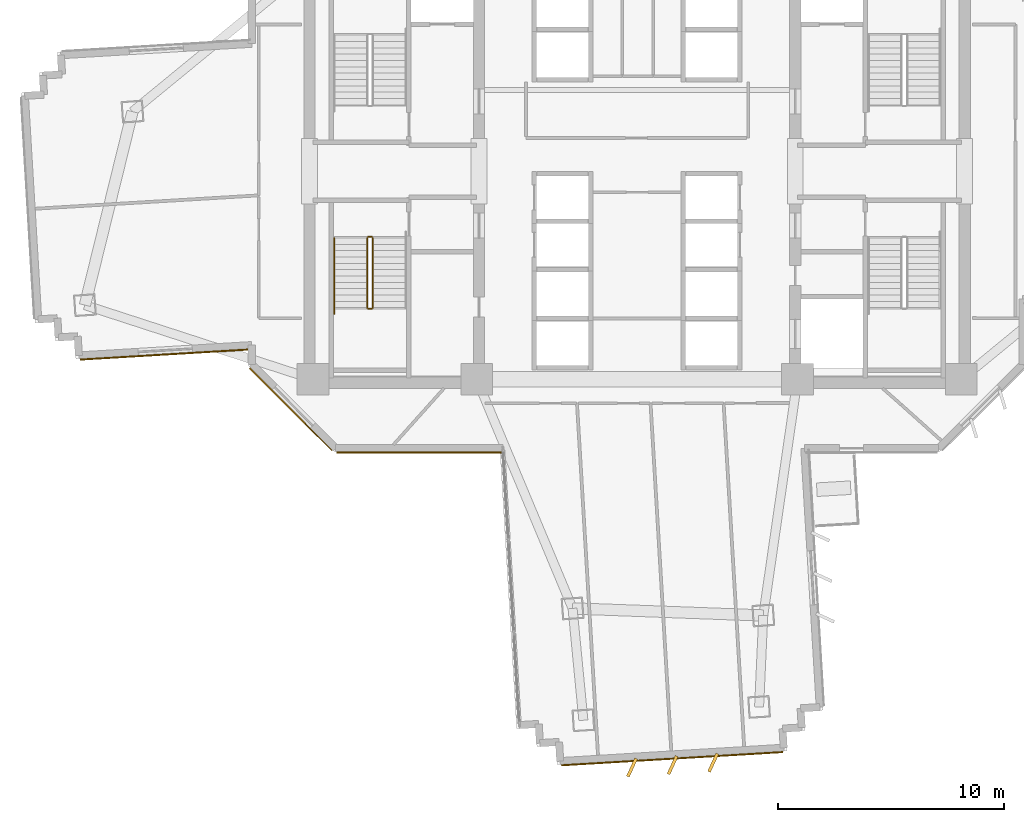
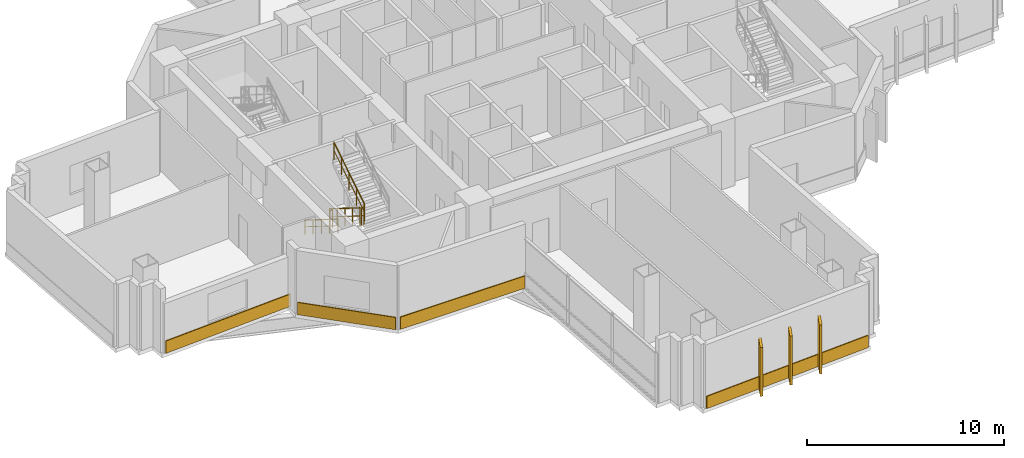
# One storey, part 11 of 15: 7 coverings, 5 railings.
"""IFC4 building model written with IfcOpenShell, lengths in metres."""

from ifc_helpers import new_model, si_unit, direction, frame, origin, origin_2d, place, context, subcontext, project, spatial, rectangle, extrude, source, transform, mapped, material, layer, layer_set, type_object, element, save


model = new_model("IFC4")

# Units and contexts
model_context = context("Model", 3, precision=1e-05, world=origin(), true_north=direction((0.0, 1.0)))
body_context = subcontext(model_context, "Body", "Model", "MODEL_VIEW")
ifc_project = project(units=[si_unit("LENGTHUNIT", "METRE"), si_unit("AREAUNIT", "SQUARE_METRE"), si_unit("VOLUMEUNIT", "CUBIC_METRE"), si_unit("PLANEANGLEUNIT", "RADIAN"), si_unit("MASSUNIT", "GRAM", prefix="KILO")], contexts=[model_context])

# Site, building, storey
site_placement = place(None, origin())
site = spatial("IfcSite", under=ifc_project, at=site_placement, CompositionType="ELEMENT")
building_placement = place(site_placement, origin())
building = spatial("IfcBuilding", under=site, at=building_placement, Name="Zahravan Cultural Tower", CompositionType="ELEMENT")
storey_placement = place(building_placement, frame((0.0, 0.0, 71.10009765625)))
storey = spatial("IfcBuildingStorey", under=building, at=storey_placement, Name="L15", CompositionType="ELEMENT", Elevation=71.10009765625)

# Railings
ifc_material_1 = material(Name="Steel ASTM A572 Grade 50", Category="steel")
railing_type_1 = type_object("IfcRailingType", Name="RL-STAIR-GRD1150", PredefinedType="BALUSTRADE", material=ifc_material_1)
railing_1_placement = place(storey_placement, frame((24.050048828125, 24.050048828125, 0.1748046875)))
element("IfcRailing", 1, at=railing_1_placement, inside=storey, type_object=railing_type_1, Name="L15 ST-W2 stair guard 1", PredefinedType="BALUSTRADE", context=body_context, shape_type="SweptSolid", body=[
    extrude(rectangle(XDim=0.05, YDim=0.05, at=origin_2d()), frame((0.0, 0.0, 1.0751953125), z_axis=(0.0, -0.847998304005, 0.529998940003), x_axis=(1.0, 0.0, 0.0)), (0.0, 0.0, 1.0), 3.632080078125),
    extrude(rectangle(XDim=0.032, YDim=0.032, at=origin_2d()), frame((0.0, 0.0, 0.572021484375), z_axis=(0.0, -0.847998304005, 0.529998940003), x_axis=(1.0, 0.0, 0.0)), (0.0, 0.0, 1.0), 3.632080078125),
    extrude(rectangle(XDim=0.04, YDim=0.04, at=origin_2d()), origin(), (0.0, 0.0, 1.0), 1.10009765625),
    extrude(rectangle(XDim=0.04, YDim=0.04, at=origin_2d()), frame((0.0, -0.77001953125, 0.481201171875)), (0.0, 0.0, 1.0), 1.10009765625),
    extrude(rectangle(XDim=0.04, YDim=0.04, at=origin_2d()), frame((0.0, -1.5400390625, 0.96240234375)), (0.0, 0.0, 1.0), 1.10009765625),
    extrude(rectangle(XDim=0.04, YDim=0.04, at=origin_2d()), frame((0.0, -2.31005859375, 1.44384765625)), (0.0, 0.0, 1.0), 1.10009765625),
    extrude(rectangle(XDim=0.04, YDim=0.04, at=origin_2d()), frame((0.0, -3.080078125, 1.925048828125)), (0.0, 0.0, 1.0), 1.10009765625),
])
railing_2_placement = place(storey_placement, frame((24.10009765625, 20.919921875, 2.099853515625)))
element("IfcRailing", 2, at=railing_2_placement, inside=storey, type_object=railing_type_1, Name="L15 ST-W2 stair guard 2", PredefinedType="BALUSTRADE", context=body_context, shape_type="SweptSolid", body=[
    extrude(rectangle(XDim=0.05, YDim=0.05, at=origin_2d()), frame((0.0, 0.0, 1.0751953125), z_axis=(1.0, 0.0, 0.0), x_axis=(0.0, 1.0, 0.0)), (0.0, 0.0, 1.0), 0.14990234375),
    extrude(rectangle(XDim=0.032, YDim=0.032, at=origin_2d()), frame((0.0, 0.0, 0.572021484375), z_axis=(1.0, 0.0, 0.0), x_axis=(0.0, 1.0, 0.0)), (0.0, 0.0, 1.0), 0.14990234375),
    extrude(rectangle(XDim=0.04, YDim=0.04, at=origin_2d()), origin(), (0.0, 0.0, 1.0), 1.10009765625),
    extrude(rectangle(XDim=0.04, YDim=0.04, at=origin_2d()), frame((0.14990234375, 0.0, 0.0)), (0.0, 0.0, 1.0), 1.10009765625),
])
railing_3_placement = place(storey_placement, frame((24.300048828125, 20.969970703125, 2.27490234375)))
element("IfcRailing", 3, at=railing_3_placement, inside=storey, type_object=railing_type_1, Name="L15 ST-W2 stair guard 3", PredefinedType="BALUSTRADE", context=body_context, shape_type="SweptSolid", body=[
    extrude(rectangle(XDim=0.05, YDim=0.05, at=origin_2d()), frame((0.0, 0.0, 1.0751953125), z_axis=(0.0, 0.847998304005, 0.529998940003), x_axis=(-1.0, 0.0, 0.0)), (0.0, 0.0, 1.0), 3.632080078125),
    extrude(rectangle(XDim=0.032, YDim=0.032, at=origin_2d()), frame((0.0, 0.0, 0.572021484375), z_axis=(0.0, 0.847998304005, 0.529998940003), x_axis=(-1.0, 0.0, 0.0)), (0.0, 0.0, 1.0), 3.632080078125),
    extrude(rectangle(XDim=0.04, YDim=0.04, at=origin_2d()), origin(), (0.0, 0.0, 1.0), 1.10009765625),
    extrude(rectangle(XDim=0.04, YDim=0.04, at=origin_2d()), frame((0.0, 0.77001953125, 0.481201171875)), (0.0, 0.0, 1.0), 1.10009765625),
    extrude(rectangle(XDim=0.04, YDim=0.04, at=origin_2d()), frame((0.0, 1.5400390625, 0.96240234375)), (0.0, 0.0, 1.0), 1.10009765625),
    extrude(rectangle(XDim=0.04, YDim=0.04, at=origin_2d()), frame((0.0, 2.31005859375, 1.44384765625)), (0.0, 0.0, 1.0), 1.10009765625),
    extrude(rectangle(XDim=0.04, YDim=0.04, at=origin_2d()), frame((0.0, 3.080078125, 1.925048828125)), (0.0, 0.0, 1.0), 1.10009765625),
])
railing_4_placement = place(storey_placement, frame((24.10009765625, 24.10009765625, 0.0)))
element("IfcRailing", 4, at=railing_4_placement, inside=storey, type_object=railing_type_1, Name="L15 ST-W2 stair guard 4", PredefinedType="BALUSTRADE", context=body_context, shape_type="SweptSolid", body=[
    extrude(rectangle(XDim=0.05, YDim=0.05, at=origin_2d()), frame((0.0, 0.0, 1.0751953125), z_axis=(1.0, 0.0, 0.0), x_axis=(0.0, 1.0, 0.0)), (0.0, 0.0, 1.0), 0.14990234375),
    extrude(rectangle(XDim=0.032, YDim=0.032, at=origin_2d()), frame((0.0, 0.0, 0.572021484375), z_axis=(1.0, 0.0, 0.0), x_axis=(0.0, 1.0, 0.0)), (0.0, 0.0, 1.0), 0.14990234375),
    extrude(rectangle(XDim=0.04, YDim=0.04, at=origin_2d()), origin(), (0.0, 0.0, 1.0), 1.10009765625),
    extrude(rectangle(XDim=0.04, YDim=0.04, at=origin_2d()), frame((0.14990234375, 0.0, 0.0)), (0.0, 0.0, 1.0), 1.10009765625),
])
railing_type_2 = type_object("IfcRailingType", Name="RL-STAIR-HR900", PredefinedType="HANDRAIL", material=ifc_material_1)
railing_5_placement = place(storey_placement, frame((22.60009765625, 24.050048828125, 0.1748046875)))
element("IfcRailing", 5, at=railing_5_placement, inside=storey, type_object=railing_type_2, Name="L15 ST-W2 stair handrail 1", PredefinedType="HANDRAIL", context=body_context, shape_type="SweptSolid", body=[
    extrude(rectangle(XDim=0.05, YDim=0.05, at=origin_2d()), frame((0.0, 0.0, 0.875), z_axis=(0.0, -0.847994842521, 0.530004478338), x_axis=(1.0, 0.0, 0.0)), (0.0, 0.0, 1.0), 3.96240234375),
    extrude(rectangle(XDim=0.032, YDim=0.032, at=origin_2d()), frame((0.0, 0.0, 0.468017578125), z_axis=(0.0, -0.847994842521, 0.530004478338), x_axis=(1.0, 0.0, 0.0)), (0.0, 0.0, 1.0), 3.96240234375),
    extrude(rectangle(XDim=0.04, YDim=0.04, at=origin_2d()), origin(), (0.0, 0.0, 1.0), 0.89990234375),
    extrude(rectangle(XDim=0.04, YDim=0.04, at=origin_2d()), frame((0.0, -0.840087890625, 0.52490234375)), (0.0, 0.0, 1.0), 0.89990234375),
    extrude(rectangle(XDim=0.04, YDim=0.04, at=origin_2d()), frame((0.0, -1.68017578125, 1.050048828125)), (0.0, 0.0, 1.0), 0.89990234375),
    extrude(rectangle(XDim=0.04, YDim=0.04, at=origin_2d()), frame((0.0, -2.52001953125, 1.5751953125)), (0.0, 0.0, 1.0), 0.89990234375),
    extrude(rectangle(XDim=0.04, YDim=0.04, at=origin_2d()), frame((0.0, -3.360107421875, 2.10009765625)), (0.0, 0.0, 1.0), 0.89990234375),
])

# Coverings
ifc_material_2 = material(Name="Terracotta ceramic cladding", Category="masonry")
ifc_layer = layer(ifc_material_2, 0.06005859375)
ifc_layer_set = layer_set([ifc_layer], Name="Terracotta ceramic cladding")
covering_type = type_object("IfcCoveringType", Name="COV-CLAD-TC60", PredefinedType="CLADDING", material=ifc_layer_set)
shared_shape_1 = source(origin(), body_context, "Body", "SweptSolid", [
    extrude(rectangle(XDim=9.820068359375, YDim=0.06005859375, at=origin_2d()), origin(), (0.0, 0.0, 1.0), 0.760009765625),
])
covering_1_placement = place(storey_placement, frame((37.5537109375, 1.00146484375, 0.02001953125), z_axis=(0.0, 0.0, 1.0), x_axis=(-0.998219065278, -0.05965482139, 0.0)))
element("IfcCovering", 6, at=covering_1_placement, inside=storey, type_object=covering_type, Name="L15 Terracotta Spandrel Cladding 20", PredefinedType="CLADDING", context=body_context, shape_type="MappedRepresentation", body=[
    mapped(shared_shape_1, transform((0.0, 0.0, 0.0), x_axis=(1.0, 0.0, 0.0), y_axis=(0.0, 1.0, 0.0), z_axis=(0.0, 0.0, 1.0), scale=1.0)),
])
shared_shape_2 = source(origin(), body_context, "Body", "SweptSolid", [
    extrude(rectangle(XDim=5.157958984375, YDim=0.06005859375, at=origin_2d()), origin(), (0.0, 0.0, 1.0), 0.760009765625),
])
covering_2_placement = place(storey_placement, frame((20.668212890625, 16.46826171875, 0.02001953125), z_axis=(0.0, 0.0, 1.0), x_axis=(-0.707106781187, 0.707106781187, 0.0)))
element("IfcCovering", 7, at=covering_2_placement, inside=storey, type_object=covering_type, Name="L15 Terracotta Spandrel Cladding 26", PredefinedType="CLADDING", context=body_context, shape_type="MappedRepresentation", body=[
    mapped(shared_shape_2, transform((0.0, 0.0, 0.0), x_axis=(1.0, 0.0, 0.0), y_axis=(0.0, 1.0, 0.0), z_axis=(0.0, 0.0, 1.0), scale=1.0)),
])
shared_shape_3 = source(origin(), body_context, "Body", "SweptSolid", [
    extrude(rectangle(XDim=0.8798828125, YDim=0.139892578125, at=origin_2d()), origin(), (0.0, 0.0, 1.0), 3.030029296875),
])
for number, where, z_axis, x_axis, name in (
    (8, (39.367431640625, 0.82421875, 0.0498046875), (0.0, 0.0, 1.0), (-0.41596338363, -0.909381363059, 0.0), "L15 Herringbone Terracotta Fin 15"),
    (9, (37.57080078125, 0.716796875, 0.0498046875), (0.0, 0.0, 1.0), (-0.41596338363, -0.909381363059, 0.0), "L15 Herringbone Terracotta Fin 16"),
    (10, (35.77392578125, 0.609619140625, 0.0498046875), (0.0, 0.0, 1.0), (-0.41596338363, -0.909381363059, 0.0), "L15 Herringbone Terracotta Fin 17"),
):
    element("IfcCovering", number, at=place(storey_placement, frame(where, z_axis=z_axis, x_axis=x_axis)), inside=storey, type_object=covering_type, Name=name, PredefinedType="CLADDING", context=body_context, shape_type="MappedRepresentation", body=[
        mapped(shared_shape_3, transform((0.0, 0.0, 0.0), x_axis=(1.0, 0.0, 0.0), y_axis=(0.0, 1.0, 0.0), z_axis=(0.0, 0.0, 1.0), scale=1.0)),
    ])
shared_shape_4 = source(origin(), body_context, "Body", "SweptSolid", [
    extrude(rectangle(XDim=7.571533203125, YDim=0.06005859375, at=origin_2d()), origin(), (0.0, 0.0, 1.0), 0.760009765625),
])
covering_3_placement = place(storey_placement, frame((15.1220703125, 18.89501953125, 0.02001953125), z_axis=(0.0, 0.0, 1.0), x_axis=(-0.998219065278, -0.05965482139, 0.0)))
element("IfcCovering", 11, at=covering_3_placement, inside=storey, type_object=covering_type, Name="L15 Terracotta Spandrel Cladding 28", PredefinedType="CLADDING", context=body_context, shape_type="MappedRepresentation", body=[
    mapped(shared_shape_4, transform((0.0, 0.0, 0.0), x_axis=(1.0, 0.0, 0.0), y_axis=(0.0, 1.0, 0.0), z_axis=(0.0, 0.0, 1.0), scale=1.0)),
])
shared_shape_5 = source(origin(), body_context, "Body", "SweptSolid", [
    extrude(rectangle(XDim=7.302734375, YDim=0.06005859375, at=origin_2d()), origin(), (0.0, 0.0, 1.0), 0.760009765625),
])
covering_4_placement = place(storey_placement, frame((26.359375, 14.554931640625, 0.02001953125), z_axis=(0.0, 0.0, 1.0), x_axis=(-1.0, 0.0, 0.0)))
element("IfcCovering", 12, at=covering_4_placement, inside=storey, type_object=covering_type, Name="L15 Terracotta Spandrel Cladding 25", PredefinedType="CLADDING", context=body_context, shape_type="MappedRepresentation", body=[
    mapped(shared_shape_5, transform((0.0, 0.0, 0.0), x_axis=(1.0, 0.0, 0.0), y_axis=(0.0, 1.0, 0.0), z_axis=(0.0, 0.0, 1.0), scale=1.0)),
])

save(model, "model.ifc")
